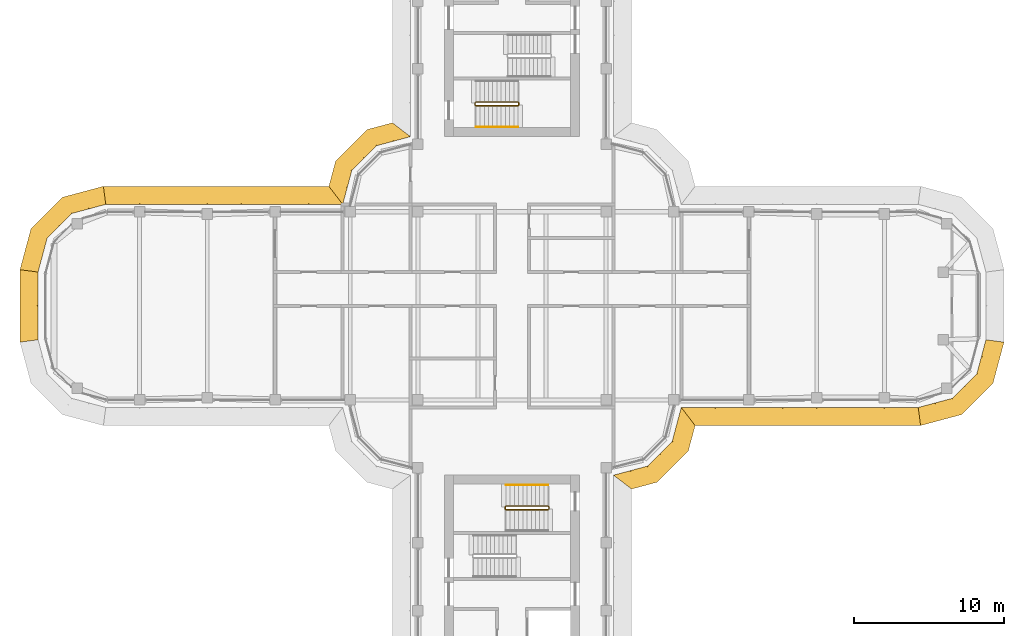
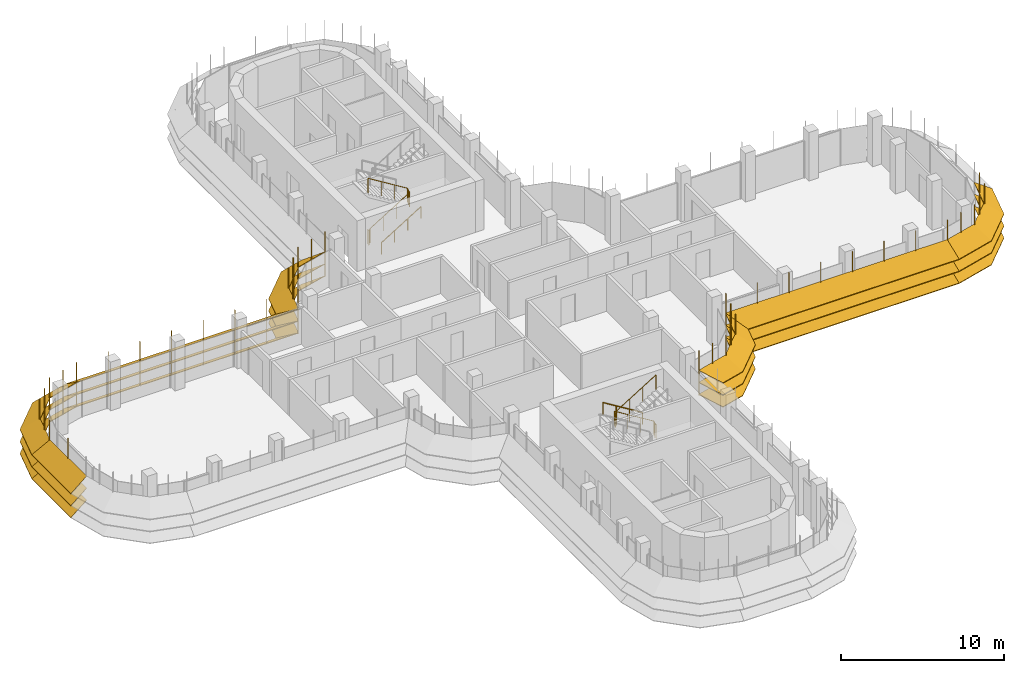
# One storey, part 17 of 18: 7 shading devices, 4 railings.
"""IFC4 building model written with IfcOpenShell, lengths in metres."""

from ifc_helpers import new_model, si_unit, direction, frame, origin, origin_2d, place, context, subcontext, project, spatial, polyline, circle, outline, extrude, faceted_brep, source, transform, mapped, material, type_object, element, save


model = new_model("IFC4")

# Units and contexts
model_context = context("Model", 3, precision=1e-05, world=origin(), true_north=direction((0.0, 1.0)))
body_context = subcontext(model_context, "Body", "Model", "MODEL_VIEW")
ifc_project = project(units=[si_unit("LENGTHUNIT", "METRE"), si_unit("AREAUNIT", "SQUARE_METRE"), si_unit("VOLUMEUNIT", "CUBIC_METRE"), si_unit("PLANEANGLEUNIT", "RADIAN"), si_unit("MASSUNIT", "GRAM", prefix="KILO")], contexts=[model_context])

# Site, building, storey
site_placement = place(None, origin())
site = spatial("IfcSite", under=ifc_project, at=site_placement, CompositionType="ELEMENT")
building_placement = place(site_placement, origin())
building = spatial("IfcBuilding", under=site, at=building_placement, Name="Zarbagh Exchange Tower", CompositionType="ELEMENT")
storey_placement = place(building_placement, frame((0.0, 0.0, 206.800048828125)))
storey = spatial("IfcBuildingStorey", under=building, at=storey_placement, Name="L50", CompositionType="ELEMENT", Elevation=206.800048828125)

# Railings
ifc_material_1 = material(Name="Stainless steel", Category="steel")
railing_type_1 = type_object("IfcRailingType", Name="Stair guard 1100 mm", PredefinedType="GUARDRAIL", material=ifc_material_1)
railing_1_placement = place(storey_placement, frame((-2.449951171875, 13.5, 0.0)))
element("IfcRailing", 1, at=railing_1_placement, inside=storey, type_object=railing_type_1, Name="ST2 stair guard 1", PredefinedType="GUARDRAIL", context=body_context, shape_type="SweptSolid", body=[
    extrude(circle(Radius=0.02392578125, at=origin_2d()), frame((0.0, 0.0, 1.076171875), z_axis=(0.0, -1.0, 0.0), x_axis=(1.0, 0.0, 0.0)), (0.0, 0.0, 1.0), 0.14990234375),
    extrude(circle(Radius=0.02392578125, at=origin_2d()), frame((0.0, -0.14990234375, 1.076171875), z_axis=(0.268277960024, -0.268277960024, 0.925231793839), x_axis=(0.707106781187, 0.707106781187, 0.0)), (0.0, 0.0, 1.0), 0.1865234375),
    extrude(circle(Radius=0.02392578125, at=origin_2d()), frame((0.050048828125, -0.199951171875, 1.24853515625), z_axis=(0.851069175582, 0.0, 0.525053576669), x_axis=(0.0, 1.0, 0.0)), (0.0, 0.0, 1.0), 3.289794921875),
    extrude(circle(Radius=0.02392578125, at=origin_2d()), frame((2.849853515625, -0.199951171875, 2.97607421875), z_axis=(0.707106781187, 0.707106781187, 0.0), x_axis=(-0.707106781187, 0.707106781187, 0.0)), (0.0, 0.0, 1.0), 0.07080078125),
    extrude(circle(Radius=0.02392578125, at=origin_2d()), frame((2.89990234375, -0.14990234375, 2.97607421875), z_axis=(0.0, 1.0, 0.0), x_axis=(-1.0, 0.0, 0.0)), (0.0, 0.0, 1.0), 0.14990234375),
    extrude(circle(Radius=0.02392578125, at=origin_2d()), frame((2.89990234375, 0.0, 2.97607421875), z_axis=(-0.267953482034, 0.267953482034, 0.925419830635), x_axis=(-0.707106781187, -0.707106781187, 0.0)), (0.0, 0.0, 1.0), 0.186767578125),
    extrude(circle(Radius=0.02392578125, at=origin_2d()), frame((2.849853515625, 0.050048828125, 3.14892578125), z_axis=(-0.851069175582, 0.0, 0.525053576669), x_axis=(0.0, -1.0, 0.0)), (0.0, 0.0, 1.0), 3.289794921875),
    extrude(circle(Radius=0.02099609375, at=origin_2d()), origin(), (0.0, 0.0, 1.0), 1.052001953125),
    extrude(circle(Radius=0.02099609375, at=origin_2d()), frame((0.0, -0.14990234375, 0.0)), (0.0, 0.0, 1.0), 1.052001953125),
    extrude(circle(Radius=0.02099609375, at=origin_2d()), frame((0.050048828125, -0.199951171875, 0.172607421875)), (0.0, 0.0, 1.0), 1.052001953125),
    extrude(circle(Radius=0.02099609375, at=origin_2d()), frame((0.9833984375, -0.199951171875, 0.748291015625)), (0.0, 0.0, 1.0), 1.052001953125),
    extrude(circle(Radius=0.02099609375, at=origin_2d()), frame((1.91650390625, -0.199951171875, 1.32421875)), (0.0, 0.0, 1.0), 1.052001953125),
    extrude(circle(Radius=0.02099609375, at=origin_2d()), frame((2.849853515625, -0.199951171875, 1.89990234375)), (0.0, 0.0, 1.0), 1.052001953125),
    extrude(circle(Radius=0.02099609375, at=origin_2d()), frame((2.89990234375, -0.14990234375, 1.89990234375)), (0.0, 0.0, 1.0), 1.052001953125),
    extrude(circle(Radius=0.02099609375, at=origin_2d()), frame((2.89990234375, 0.0, 1.89990234375)), (0.0, 0.0, 1.0), 1.052001953125),
    extrude(circle(Radius=0.02099609375, at=origin_2d()), frame((2.849853515625, 0.050048828125, 2.07275390625)), (0.0, 0.0, 1.0), 1.052001953125),
    extrude(circle(Radius=0.02099609375, at=origin_2d()), frame((1.91650390625, 0.050048828125, 2.6484375)), (0.0, 0.0, 1.0), 1.052001953125),
    extrude(circle(Radius=0.02099609375, at=origin_2d()), frame((0.9833984375, 0.050048828125, 3.224365234375)), (0.0, 0.0, 1.0), 1.052001953125),
    extrude(circle(Radius=0.02099609375, at=origin_2d()), frame((0.050048828125, 0.050048828125, 3.800048828125)), (0.0, 0.0, 1.0), 1.052001953125),
])
railing_2_placement = place(storey_placement, frame((2.449951171875, -13.5, 0.0)))
element("IfcRailing", 2, at=railing_2_placement, inside=storey, type_object=railing_type_1, Name="ST4 stair guard 1", PredefinedType="GUARDRAIL", context=body_context, shape_type="SweptSolid", body=[
    extrude(circle(Radius=0.02392578125, at=origin_2d()), frame((0.0, 0.0, 1.076171875), z_axis=(0.0, 1.0, 0.0), x_axis=(-1.0, 0.0, 0.0)), (0.0, 0.0, 1.0), 0.14990234375),
    extrude(circle(Radius=0.02392578125, at=origin_2d()), frame((0.0, 0.14990234375, 1.076171875), z_axis=(-0.268277960024, 0.268277960024, 0.925231793839), x_axis=(-0.707106781187, -0.707106781187, 0.0)), (0.0, 0.0, 1.0), 0.1865234375),
    extrude(circle(Radius=0.02392578125, at=origin_2d()), frame((-0.050048828125, 0.199951171875, 1.24853515625), z_axis=(-0.851069175582, 0.0, 0.525053576669), x_axis=(0.0, -1.0, 0.0)), (0.0, 0.0, 1.0), 3.289794921875),
    extrude(circle(Radius=0.02392578125, at=origin_2d()), frame((-2.849853515625, 0.199951171875, 2.97607421875), z_axis=(-0.707106781187, -0.707106781187, 0.0), x_axis=(0.707106781187, -0.707106781187, 0.0)), (0.0, 0.0, 1.0), 0.07080078125),
    extrude(circle(Radius=0.02392578125, at=origin_2d()), frame((-2.89990234375, 0.14990234375, 2.97607421875), z_axis=(0.0, -1.0, 0.0), x_axis=(1.0, 0.0, 0.0)), (0.0, 0.0, 1.0), 0.14990234375),
    extrude(circle(Radius=0.02392578125, at=origin_2d()), frame((-2.89990234375, 0.0, 2.97607421875), z_axis=(0.267953482034, -0.267953482034, 0.925419830635), x_axis=(0.707106781187, 0.707106781187, 0.0)), (0.0, 0.0, 1.0), 0.186767578125),
    extrude(circle(Radius=0.02392578125, at=origin_2d()), frame((-2.849853515625, -0.050048828125, 3.14892578125), z_axis=(0.851069175582, 0.0, 0.525053576669), x_axis=(0.0, 1.0, 0.0)), (0.0, 0.0, 1.0), 3.289794921875),
    extrude(circle(Radius=0.02099609375, at=origin_2d()), origin(), (0.0, 0.0, 1.0), 1.052001953125),
    extrude(circle(Radius=0.02099609375, at=origin_2d()), frame((0.0, 0.14990234375, 0.0)), (0.0, 0.0, 1.0), 1.052001953125),
    extrude(circle(Radius=0.02099609375, at=origin_2d()), frame((-0.050048828125, 0.199951171875, 0.172607421875)), (0.0, 0.0, 1.0), 1.052001953125),
    extrude(circle(Radius=0.02099609375, at=origin_2d()), frame((-0.9833984375, 0.199951171875, 0.748291015625)), (0.0, 0.0, 1.0), 1.052001953125),
    extrude(circle(Radius=0.02099609375, at=origin_2d()), frame((-1.91650390625, 0.199951171875, 1.32421875)), (0.0, 0.0, 1.0), 1.052001953125),
    extrude(circle(Radius=0.02099609375, at=origin_2d()), frame((-2.849853515625, 0.199951171875, 1.89990234375)), (0.0, 0.0, 1.0), 1.052001953125),
    extrude(circle(Radius=0.02099609375, at=origin_2d()), frame((-2.89990234375, 0.14990234375, 1.89990234375)), (0.0, 0.0, 1.0), 1.052001953125),
    extrude(circle(Radius=0.02099609375, at=origin_2d()), frame((-2.89990234375, 0.0, 1.89990234375)), (0.0, 0.0, 1.0), 1.052001953125),
    extrude(circle(Radius=0.02099609375, at=origin_2d()), frame((-2.849853515625, -0.050048828125, 2.07275390625)), (0.0, 0.0, 1.0), 1.052001953125),
    extrude(circle(Radius=0.02099609375, at=origin_2d()), frame((-1.91650390625, -0.050048828125, 2.6484375)), (0.0, 0.0, 1.0), 1.052001953125),
    extrude(circle(Radius=0.02099609375, at=origin_2d()), frame((-0.9833984375, -0.050048828125, 3.224365234375)), (0.0, 0.0, 1.0), 1.052001953125),
    extrude(circle(Radius=0.02099609375, at=origin_2d()), frame((-0.050048828125, -0.050048828125, 3.800048828125)), (0.0, 0.0, 1.0), 1.052001953125),
])
railing_type_2 = type_object("IfcRailingType", Name="Stair handrail 900 mm", PredefinedType="HANDRAIL", material=ifc_material_1)
railing_3_placement = place(storey_placement, frame((-2.39990234375, 11.89990234375, 0.172607421875)))
element("IfcRailing", 3, at=railing_3_placement, inside=storey, type_object=railing_type_2, Name="ST2 stair handrail 1", PredefinedType="HANDRAIL", context=body_context, shape_type="SweptSolid", body=[
    extrude(circle(Radius=0.02392578125, at=origin_2d()), frame((0.0, 0.0, 0.8759765625), z_axis=(0.851069175582, 0.0, 0.525053576669), x_axis=(0.0, 1.0, 0.0)), (0.0, 0.0, 1.0), 3.289794921875),
    extrude(circle(Radius=0.02099609375, at=origin_2d()), origin(), (0.0, 0.0, 1.0), 0.851806640625),
    extrude(circle(Radius=0.02099609375, at=origin_2d()), frame((0.933349609375, 0.0, 0.57568359375)), (0.0, 0.0, 1.0), 0.851806640625),
    extrude(circle(Radius=0.02099609375, at=origin_2d()), frame((1.866455078125, 0.0, 1.151611328125)), (0.0, 0.0, 1.0), 0.851806640625),
    extrude(circle(Radius=0.02099609375, at=origin_2d()), frame((2.7998046875, 0.0, 1.727294921875)), (0.0, 0.0, 1.0), 0.851806640625),
])
railing_4_placement = place(storey_placement, frame((2.39990234375, -11.89990234375, 0.172607421875)))
element("IfcRailing", 4, at=railing_4_placement, inside=storey, type_object=railing_type_2, Name="ST4 stair handrail 1", PredefinedType="HANDRAIL", context=body_context, shape_type="SweptSolid", body=[
    extrude(circle(Radius=0.02392578125, at=origin_2d()), frame((0.0, 0.0, 0.8759765625), z_axis=(-0.851069175582, 0.0, 0.525053576669), x_axis=(0.0, -1.0, 0.0)), (0.0, 0.0, 1.0), 3.289794921875),
    extrude(circle(Radius=0.02099609375, at=origin_2d()), origin(), (0.0, 0.0, 1.0), 0.851806640625),
    extrude(circle(Radius=0.02099609375, at=origin_2d()), frame((-0.933349609375, 0.0, 0.57568359375)), (0.0, 0.0, 1.0), 0.851806640625),
    extrude(circle(Radius=0.02099609375, at=origin_2d()), frame((-1.866455078125, 0.0, 1.151611328125)), (0.0, 0.0, 1.0), 0.851806640625),
    extrude(circle(Radius=0.02099609375, at=origin_2d()), frame((-2.7998046875, 0.0, 1.727294921875)), (0.0, 0.0, 1.0), 0.851806640625),
])

# Shading devices
ifc_material_2 = material(Name="Anodised aluminium blades and brackets", Category="aluminium")
shading_device_type = type_object("IfcShadingDeviceType", Name="SUNSHADE louvre band, 33.75 degree blades", PredefinedType="JALOUSIE", material=ifc_material_2)
shared_shape_1 = source(origin(), body_context, "Body", "Brep", [
    faceted_brep([(0.0, 0.0, 0.0), (0.0, 0.0, -0.048095703125), (-0.157958984375, -1.199951171875, -0.849853515625), (-0.157958984375, -1.199951171875, -0.8017578125), (2.65087890625, -1.199951171875, -0.8017578125), (2.65087890625, -1.199951171875, -0.849853515625), (2.329345703125, 0.0, -0.048095703125), (2.329345703125, 0.0, 0.0)], [[[0, 1, 2, 3]], [[4, 5, 6, 7]], [[0, 7, 6, 1]], [[1, 6, 5, 2]], [[2, 5, 4, 3]], [[3, 4, 7, 0]]]),
])
shared_shape_2 = source(origin(), body_context, "Body", "Brep", [
    faceted_brep([(0.0, 0.0, 0.0), (0.0, 0.0, -0.048095703125), (-0.321533203125, -1.199951171875, -0.849853515625), (-0.321533203125, -1.199951171875, -0.8017578125), (2.65087890625, -1.199951171875, -0.8017578125), (2.65087890625, -1.199951171875, -0.849853515625), (2.329345703125, 0.0, -0.048095703125), (2.329345703125, 0.0, 0.0)], [[[0, 1, 2, 3]], [[4, 5, 6, 7]], [[0, 7, 6, 1]], [[1, 6, 5, 2]], [[2, 5, 4, 3]], [[3, 4, 7, 0]]]),
])
shared_shape_3 = source(origin(), body_context, "Body", "Brep", [
    faceted_brep([(0.0, 0.0, 0.0), (0.0, 0.0, -0.048095703125), (-0.321533203125, -1.199951171875, -0.849853515625), (-0.321533203125, -1.199951171875, -0.8017578125), (2.4873046875, -1.199951171875, -0.8017578125), (2.4873046875, -1.199951171875, -0.849853515625), (2.329345703125, 0.0, -0.048095703125), (2.329345703125, 0.0, 0.0)], [[[0, 1, 2, 3]], [[4, 5, 6, 7]], [[0, 7, 6, 1]], [[1, 6, 5, 2]], [[2, 5, 4, 3]], [[3, 4, 7, 0]]]),
])
shared_shape_4 = source(origin(), body_context, "Body", "SweptSolid", [
    extrude(outline(polyline([(0.0, -0.012451171875), (0.06005859375, -0.012451171875), (0.06005859375, 0.012451171875), (0.0, 0.012451171875), (0.0, -0.012451171875)])), origin(), (0.0, 0.0, 1.0), 3.358154296875),
])
placement = place(storey_placement, origin())
element("IfcShadingDevice", 5, at=placement, inside=storey, type_object=shading_device_type, Name="SS31 sunshade band", PredefinedType="JALOUSIE", context=body_context, shape_type="MappedRepresentation", body=[
    mapped(shared_shape_1, transform((27.0, -6.75, 2.300048828125), x_axis=(0.965924289636, 0.258824779902, 0.0), y_axis=(-0.258824779902, 0.965924289636, 0.0), z_axis=(0.0, 0.0, 1.0))),
    mapped(shared_shape_1, transform((27.0, -6.75, 1.39990234375), x_axis=(0.965924289636, 0.258824779902, 0.0), y_axis=(-0.258824779902, 0.965924289636, 0.0), z_axis=(0.0, 0.0, 1.0))),
    mapped(shared_shape_1, transform((27.0, -6.75, 0.5), x_axis=(0.965924289636, 0.258824779902, 0.0), y_axis=(-0.258824779902, 0.965924289636, 0.0), z_axis=(0.0, 0.0, 1.0))),
    mapped(shared_shape_2, transform((29.25, -6.147216796875, 2.300048828125), x_axis=(0.707106781187, 0.707106781187, 0.0), y_axis=(-0.707106781187, 0.707106781187, 0.0), z_axis=(0.0, 0.0, 1.0))),
    mapped(shared_shape_2, transform((29.25, -6.147216796875, 1.39990234375), x_axis=(0.707106781187, 0.707106781187, 0.0), y_axis=(-0.707106781187, 0.707106781187, 0.0), z_axis=(0.0, 0.0, 1.0))),
    mapped(shared_shape_2, transform((29.25, -6.147216796875, 0.5), x_axis=(0.707106781187, 0.707106781187, 0.0), y_axis=(-0.707106781187, 0.707106781187, 0.0), z_axis=(0.0, 0.0, 1.0))),
    mapped(shared_shape_3, transform((30.897216796875, -4.5, 2.300048828125), x_axis=(0.258824779902, 0.965924289636, 0.0), y_axis=(-0.965924289636, 0.258824779902, 0.0), z_axis=(0.0, 0.0, 1.0))),
    mapped(shared_shape_3, transform((30.897216796875, -4.5, 1.39990234375), x_axis=(0.258824779902, 0.965924289636, 0.0), y_axis=(-0.965924289636, 0.258824779902, 0.0), z_axis=(0.0, 0.0, 1.0))),
    mapped(shared_shape_3, transform((30.897216796875, -4.5, 0.5), x_axis=(0.258824779902, 0.965924289636, 0.0), y_axis=(-0.965924289636, 0.258824779902, 0.0), z_axis=(0.0, 0.0, 1.0))),
    mapped(shared_shape_4, transform((27.0, -6.75, 0.421875), x_axis=(0.130529263012, -0.991444457092, 0.0), y_axis=(0.991444457092, 0.130529263012, 0.0), z_axis=(0.0, 0.0, 1.0))),
    mapped(shared_shape_4, transform((28.125, -6.448486328125, 0.421875), x_axis=(0.258825058029, -0.96592421511, 0.0), y_axis=(0.96592421511, 0.258825058029, 0.0), z_axis=(0.0, 0.0, 1.0))),
    mapped(shared_shape_4, transform((29.25, -6.147216796875, 0.421875), x_axis=(0.50000275701, -0.866023812018, 0.0), y_axis=(0.866023812018, 0.50000275701, 0.0), z_axis=(0.0, 0.0, 1.0))),
    mapped(shared_shape_4, transform((30.073486328125, -5.323486328125, 0.421875), x_axis=(0.707106781187, -0.707106781187, 0.0), y_axis=(0.707106781187, 0.707106781187, 0.0), z_axis=(0.0, 0.0, 1.0))),
    mapped(shared_shape_4, transform((30.897216796875, -4.5, 0.421875), x_axis=(0.866023812018, -0.50000275701, 0.0), y_axis=(0.50000275701, 0.866023812018, 0.0), z_axis=(0.0, 0.0, 1.0))),
    mapped(shared_shape_4, transform((31.198486328125, -3.375, 0.421875), x_axis=(0.96592421511, -0.258825058029, 0.0), y_axis=(0.258825058029, 0.96592421511, 0.0), z_axis=(0.0, 0.0, 1.0))),
])
element("IfcShadingDevice", 6, at=placement, inside=storey, type_object=shading_device_type, Name="SS41 sunshade band", PredefinedType="JALOUSIE", context=body_context, shape_type="MappedRepresentation", body=[
    mapped(shared_shape_1, transform((-27.0, 6.75, 2.300048828125), x_axis=(-0.965924289636, -0.258824779902, 0.0), y_axis=(0.258824779902, -0.965924289636, 0.0), z_axis=(0.0, 0.0, 1.0))),
    mapped(shared_shape_1, transform((-27.0, 6.75, 1.39990234375), x_axis=(-0.965924289636, -0.258824779902, 0.0), y_axis=(0.258824779902, -0.965924289636, 0.0), z_axis=(0.0, 0.0, 1.0))),
    mapped(shared_shape_1, transform((-27.0, 6.75, 0.5), x_axis=(-0.965924289636, -0.258824779902, 0.0), y_axis=(0.258824779902, -0.965924289636, 0.0), z_axis=(0.0, 0.0, 1.0))),
    mapped(shared_shape_2, transform((-29.25, 6.147216796875, 2.300048828125), x_axis=(-0.707106781187, -0.707106781187, 0.0), y_axis=(0.707106781187, -0.707106781187, 0.0), z_axis=(0.0, 0.0, 1.0))),
    mapped(shared_shape_2, transform((-29.25, 6.147216796875, 1.39990234375), x_axis=(-0.707106781187, -0.707106781187, 0.0), y_axis=(0.707106781187, -0.707106781187, 0.0), z_axis=(0.0, 0.0, 1.0))),
    mapped(shared_shape_2, transform((-29.25, 6.147216796875, 0.5), x_axis=(-0.707106781187, -0.707106781187, 0.0), y_axis=(0.707106781187, -0.707106781187, 0.0), z_axis=(0.0, 0.0, 1.0))),
    mapped(shared_shape_3, transform((-30.897216796875, 4.5, 2.300048828125), x_axis=(-0.258824779902, -0.965924289636, 0.0), y_axis=(0.965924289636, -0.258824779902, 0.0), z_axis=(0.0, 0.0, 1.0))),
    mapped(shared_shape_3, transform((-30.897216796875, 4.5, 1.39990234375), x_axis=(-0.258824779902, -0.965924289636, 0.0), y_axis=(0.965924289636, -0.258824779902, 0.0), z_axis=(0.0, 0.0, 1.0))),
    mapped(shared_shape_3, transform((-30.897216796875, 4.5, 0.5), x_axis=(-0.258824779902, -0.965924289636, 0.0), y_axis=(0.965924289636, -0.258824779902, 0.0), z_axis=(0.0, 0.0, 1.0))),
    mapped(shared_shape_4, transform((-27.0, 6.75, 0.421875), x_axis=(-0.130529263012, 0.991444457092, 0.0), y_axis=(-0.991444457092, -0.130529263012, 0.0), z_axis=(0.0, 0.0, 1.0))),
    mapped(shared_shape_4, transform((-28.125, 6.448486328125, 0.421875), x_axis=(-0.258825058029, 0.96592421511, 0.0), y_axis=(-0.96592421511, -0.258825058029, 0.0), z_axis=(0.0, 0.0, 1.0))),
    mapped(shared_shape_4, transform((-29.25, 6.147216796875, 0.421875), x_axis=(-0.50000275701, 0.866023812018, 0.0), y_axis=(-0.866023812018, -0.50000275701, 0.0), z_axis=(0.0, 0.0, 1.0))),
    mapped(shared_shape_4, transform((-30.073486328125, 5.323486328125, 0.421875), x_axis=(-0.707106781187, 0.707106781187, 0.0), y_axis=(-0.707106781187, -0.707106781187, 0.0), z_axis=(0.0, 0.0, 1.0))),
    mapped(shared_shape_4, transform((-30.897216796875, 4.5, 0.421875), x_axis=(-0.866023812018, 0.50000275701, 0.0), y_axis=(-0.50000275701, -0.866023812018, 0.0), z_axis=(0.0, 0.0, 1.0))),
    mapped(shared_shape_4, transform((-31.198486328125, 3.375, 0.421875), x_axis=(-0.96592421511, 0.258825058029, 0.0), y_axis=(-0.258825058029, -0.96592421511, 0.0), z_axis=(0.0, 0.0, 1.0))),
])
shared_shape_5 = source(origin(), body_context, "Body", "Brep", [
    faceted_brep([(0.0, 0.0, 0.0), (0.0, 0.0, -0.048095703125), (0.9208984375, -1.199951171875, -0.849853515625), (0.9208984375, -1.199951171875, -0.8017578125), (2.65087890625, -1.199951171875, -0.8017578125), (2.65087890625, -1.199951171875, -0.849853515625), (2.329345703125, 0.0, -0.048095703125), (2.329345703125, 0.0, 0.0)], [[[0, 1, 2, 3]], [[4, 5, 6, 7]], [[0, 7, 6, 1]], [[1, 6, 5, 2]], [[2, 5, 4, 3]], [[3, 4, 7, 0]]]),
])
shared_shape_6 = source(origin(), body_context, "Body", "Brep", [
    faceted_brep([(0.0, 0.0, 0.0), (0.0, 0.0, -0.048095703125), (-0.321533203125, -1.199951171875, -0.849853515625), (-0.321533203125, -1.199951171875, -0.8017578125), (1.40869140625, -1.199951171875, -0.8017578125), (1.40869140625, -1.199951171875, -0.849853515625), (2.329345703125, 0.0, -0.048095703125), (2.329345703125, 0.0, 0.0)], [[[0, 1, 2, 3]], [[4, 5, 6, 7]], [[0, 7, 6, 1]], [[1, 6, 5, 2]], [[2, 5, 4, 3]], [[3, 4, 7, 0]]]),
])
element("IfcShadingDevice", 7, at=placement, inside=storey, type_object=shading_device_type, Name="SS03 sunshade band", PredefinedType="JALOUSIE", context=body_context, shape_type="MappedRepresentation", body=[
    mapped(shared_shape_5, transform((6.75, -11.25, 2.300048828125), x_axis=(0.965924289636, 0.258824779902, 0.0), y_axis=(-0.258824779902, 0.965924289636, 0.0), z_axis=(0.0, 0.0, 1.0))),
    mapped(shared_shape_5, transform((6.75, -11.25, 1.39990234375), x_axis=(0.965924289636, 0.258824779902, 0.0), y_axis=(-0.258824779902, 0.965924289636, 0.0), z_axis=(0.0, 0.0, 1.0))),
    mapped(shared_shape_5, transform((6.75, -11.25, 0.5), x_axis=(0.965924289636, 0.258824779902, 0.0), y_axis=(-0.258824779902, 0.965924289636, 0.0), z_axis=(0.0, 0.0, 1.0))),
    mapped(shared_shape_2, transform((9.0, -10.647216796875, 2.300048828125), x_axis=(0.707106781187, 0.707106781187, 0.0), y_axis=(-0.707106781187, 0.707106781187, 0.0), z_axis=(0.0, 0.0, 1.0))),
    mapped(shared_shape_2, transform((9.0, -10.647216796875, 1.39990234375), x_axis=(0.707106781187, 0.707106781187, 0.0), y_axis=(-0.707106781187, 0.707106781187, 0.0), z_axis=(0.0, 0.0, 1.0))),
    mapped(shared_shape_2, transform((9.0, -10.647216796875, 0.5), x_axis=(0.707106781187, 0.707106781187, 0.0), y_axis=(-0.707106781187, 0.707106781187, 0.0), z_axis=(0.0, 0.0, 1.0))),
    mapped(shared_shape_6, transform((10.647216796875, -9.0, 2.300048828125), x_axis=(0.258824779902, 0.965924289636, 0.0), y_axis=(-0.965924289636, 0.258824779902, 0.0), z_axis=(0.0, 0.0, 1.0))),
    mapped(shared_shape_6, transform((10.647216796875, -9.0, 1.39990234375), x_axis=(0.258824779902, 0.965924289636, 0.0), y_axis=(-0.965924289636, 0.258824779902, 0.0), z_axis=(0.0, 0.0, 1.0))),
    mapped(shared_shape_6, transform((10.647216796875, -9.0, 0.5), x_axis=(0.258824779902, 0.965924289636, 0.0), y_axis=(-0.965924289636, 0.258824779902, 0.0), z_axis=(0.0, 0.0, 1.0))),
    mapped(shared_shape_4, transform((6.75, -11.25, 0.421875), x_axis=(0.793355287, -0.608758892, 0.0), y_axis=(0.608758892, 0.793355287, 0.0), z_axis=(0.0, 0.0, 1.0))),
    mapped(shared_shape_4, transform((7.875, -10.948486328125, 0.421875), x_axis=(0.258825058029, -0.96592421511, 0.0), y_axis=(0.96592421511, 0.258825058029, 0.0), z_axis=(0.0, 0.0, 1.0))),
    mapped(shared_shape_4, transform((9.0, -10.647216796875, 0.421875), x_axis=(0.50000275701, -0.866023812018, 0.0), y_axis=(0.866023812018, 0.50000275701, 0.0), z_axis=(0.0, 0.0, 1.0))),
    mapped(shared_shape_4, transform((9.823486328125, -9.823486328125, 0.421875), x_axis=(0.707106781187, -0.707106781187, 0.0), y_axis=(0.707106781187, 0.707106781187, 0.0), z_axis=(0.0, 0.0, 1.0))),
    mapped(shared_shape_4, transform((10.647216796875, -9.0, 0.421875), x_axis=(0.866023812018, -0.50000275701, 0.0), y_axis=(0.50000275701, 0.866023812018, 0.0), z_axis=(0.0, 0.0, 1.0))),
    mapped(shared_shape_4, transform((10.948486328125, -7.875, 0.421875), x_axis=(0.96592421511, -0.258825058029, 0.0), y_axis=(0.258825058029, 0.96592421511, 0.0), z_axis=(0.0, 0.0, 1.0))),
])
element("IfcShadingDevice", 8, at=placement, inside=storey, type_object=shading_device_type, Name="SS15 sunshade band", PredefinedType="JALOUSIE", context=body_context, shape_type="MappedRepresentation", body=[
    mapped(shared_shape_5, transform((-6.75, 11.25, 2.300048828125), x_axis=(-0.965924289636, -0.258824779902, 0.0), y_axis=(0.258824779902, -0.965924289636, 0.0), z_axis=(0.0, 0.0, 1.0))),
    mapped(shared_shape_5, transform((-6.75, 11.25, 1.39990234375), x_axis=(-0.965924289636, -0.258824779902, 0.0), y_axis=(0.258824779902, -0.965924289636, 0.0), z_axis=(0.0, 0.0, 1.0))),
    mapped(shared_shape_5, transform((-6.75, 11.25, 0.5), x_axis=(-0.965924289636, -0.258824779902, 0.0), y_axis=(0.258824779902, -0.965924289636, 0.0), z_axis=(0.0, 0.0, 1.0))),
    mapped(shared_shape_2, transform((-9.0, 10.647216796875, 2.300048828125), x_axis=(-0.707106781187, -0.707106781187, 0.0), y_axis=(0.707106781187, -0.707106781187, 0.0), z_axis=(0.0, 0.0, 1.0))),
    mapped(shared_shape_2, transform((-9.0, 10.647216796875, 1.39990234375), x_axis=(-0.707106781187, -0.707106781187, 0.0), y_axis=(0.707106781187, -0.707106781187, 0.0), z_axis=(0.0, 0.0, 1.0))),
    mapped(shared_shape_2, transform((-9.0, 10.647216796875, 0.5), x_axis=(-0.707106781187, -0.707106781187, 0.0), y_axis=(0.707106781187, -0.707106781187, 0.0), z_axis=(0.0, 0.0, 1.0))),
    mapped(shared_shape_6, transform((-10.647216796875, 9.0, 2.300048828125), x_axis=(-0.258824779902, -0.965924289636, 0.0), y_axis=(0.965924289636, -0.258824779902, 0.0), z_axis=(0.0, 0.0, 1.0))),
    mapped(shared_shape_6, transform((-10.647216796875, 9.0, 1.39990234375), x_axis=(-0.258824779902, -0.965924289636, 0.0), y_axis=(0.965924289636, -0.258824779902, 0.0), z_axis=(0.0, 0.0, 1.0))),
    mapped(shared_shape_6, transform((-10.647216796875, 9.0, 0.5), x_axis=(-0.258824779902, -0.965924289636, 0.0), y_axis=(0.965924289636, -0.258824779902, 0.0), z_axis=(0.0, 0.0, 1.0))),
    mapped(shared_shape_4, transform((-6.75, 11.25, 0.421875), x_axis=(-0.793355287, 0.608758892, 0.0), y_axis=(-0.608758892, -0.793355287, 0.0), z_axis=(0.0, 0.0, 1.0))),
    mapped(shared_shape_4, transform((-7.875, 10.948486328125, 0.421875), x_axis=(-0.258825058029, 0.96592421511, 0.0), y_axis=(-0.96592421511, -0.258825058029, 0.0), z_axis=(0.0, 0.0, 1.0))),
    mapped(shared_shape_4, transform((-9.0, 10.647216796875, 0.421875), x_axis=(-0.50000275701, 0.866023812018, 0.0), y_axis=(-0.866023812018, -0.50000275701, 0.0), z_axis=(0.0, 0.0, 1.0))),
    mapped(shared_shape_4, transform((-9.823486328125, 9.823486328125, 0.421875), x_axis=(-0.707106781187, 0.707106781187, 0.0), y_axis=(-0.707106781187, -0.707106781187, 0.0), z_axis=(0.0, 0.0, 1.0))),
    mapped(shared_shape_4, transform((-10.647216796875, 9.0, 0.421875), x_axis=(-0.866023812018, 0.50000275701, 0.0), y_axis=(-0.50000275701, -0.866023812018, 0.0), z_axis=(0.0, 0.0, 1.0))),
    mapped(shared_shape_4, transform((-10.948486328125, 7.875, 0.421875), x_axis=(-0.96592421511, 0.258825058029, 0.0), y_axis=(-0.258825058029, -0.96592421511, 0.0), z_axis=(0.0, 0.0, 1.0))),
])
shared_shape_7 = source(origin(), body_context, "Body", "Brep", [
    faceted_brep([(0.0, 0.0, 0.0), (0.0, 0.0, -0.048095703125), (0.9208984375, -1.199951171875, -0.849853515625), (0.9208984375, -1.199951171875, -0.8017578125), (15.907958984375, -1.199951171875, -0.8017578125), (15.907958984375, -1.199951171875, -0.849853515625), (15.75, 0.0, -0.048095703125), (15.75, 0.0, 0.0)], [[[0, 1, 2, 3]], [[4, 5, 6, 7]], [[0, 7, 6, 1]], [[1, 6, 5, 2]], [[2, 5, 4, 3]], [[3, 4, 7, 0]]]),
])
element("IfcShadingDevice", 9, at=placement, inside=storey, type_object=shading_device_type, Name="SS30 sunshade band", PredefinedType="JALOUSIE", context=body_context, shape_type="MappedRepresentation", body=[
    mapped(shared_shape_7, transform((11.25, -6.75, 2.300048828125), x_axis=(1.0, 0.0, 0.0), y_axis=(0.0, 1.0, 0.0), z_axis=(0.0, 0.0, 1.0))),
    mapped(shared_shape_7, transform((11.25, -6.75, 1.39990234375), x_axis=(1.0, 0.0, 0.0), y_axis=(0.0, 1.0, 0.0), z_axis=(0.0, 0.0, 1.0))),
    mapped(shared_shape_7, transform((11.25, -6.75, 0.5), x_axis=(1.0, 0.0, 0.0), y_axis=(0.0, 1.0, 0.0), z_axis=(0.0, 0.0, 1.0))),
    mapped(shared_shape_4, transform((11.25, -6.75, 0.421875), x_axis=(0.608758892, -0.793355287, 0.0), y_axis=(0.793355287, 0.608758892, 0.0), z_axis=(0.0, 0.0, 1.0))),
    mapped(shared_shape_4, transform((13.5, -6.75, 0.421875), x_axis=(0.0, -1.0, 0.0), y_axis=(1.0, 0.0, 0.0), z_axis=(0.0, 0.0, 1.0))),
    mapped(shared_shape_4, transform((15.75, -6.75, 0.421875), x_axis=(0.0, -1.0, 0.0), y_axis=(1.0, 0.0, 0.0), z_axis=(0.0, 0.0, 1.0))),
    mapped(shared_shape_4, transform((18.0, -6.75, 0.421875), x_axis=(0.0, -1.0, 0.0), y_axis=(1.0, 0.0, 0.0), z_axis=(0.0, 0.0, 1.0))),
    mapped(shared_shape_4, transform((20.25, -6.75, 0.421875), x_axis=(0.0, -1.0, 0.0), y_axis=(1.0, 0.0, 0.0), z_axis=(0.0, 0.0, 1.0))),
    mapped(shared_shape_4, transform((22.5, -6.75, 0.421875), x_axis=(0.0, -1.0, 0.0), y_axis=(1.0, 0.0, 0.0), z_axis=(0.0, 0.0, 1.0))),
    mapped(shared_shape_4, transform((24.75, -6.75, 0.421875), x_axis=(0.0, -1.0, 0.0), y_axis=(1.0, 0.0, 0.0), z_axis=(0.0, 0.0, 1.0))),
])
element("IfcShadingDevice", 10, at=placement, inside=storey, type_object=shading_device_type, Name="SS40 sunshade band", PredefinedType="JALOUSIE", context=body_context, shape_type="MappedRepresentation", body=[
    mapped(shared_shape_7, transform((-11.25, 6.75, 2.300048828125), x_axis=(-1.0, 0.0, 0.0), y_axis=(0.0, -1.0, 0.0), z_axis=(0.0, 0.0, 1.0))),
    mapped(shared_shape_7, transform((-11.25, 6.75, 1.39990234375), x_axis=(-1.0, 0.0, 0.0), y_axis=(0.0, -1.0, 0.0), z_axis=(0.0, 0.0, 1.0))),
    mapped(shared_shape_7, transform((-11.25, 6.75, 0.5), x_axis=(-1.0, 0.0, 0.0), y_axis=(0.0, -1.0, 0.0), z_axis=(0.0, 0.0, 1.0))),
    mapped(shared_shape_4, transform((-11.25, 6.75, 0.421875), x_axis=(-0.608758892, 0.793355287, 0.0), y_axis=(-0.793355287, -0.608758892, 0.0), z_axis=(0.0, 0.0, 1.0))),
    mapped(shared_shape_4, transform((-13.5, 6.75, 0.421875), x_axis=(0.0, 1.0, 0.0), y_axis=(-1.0, 0.0, 0.0), z_axis=(0.0, 0.0, 1.0))),
    mapped(shared_shape_4, transform((-15.75, 6.75, 0.421875), x_axis=(0.0, 1.0, 0.0), y_axis=(-1.0, 0.0, 0.0), z_axis=(0.0, 0.0, 1.0))),
    mapped(shared_shape_4, transform((-18.0, 6.75, 0.421875), x_axis=(0.0, 1.0, 0.0), y_axis=(-1.0, 0.0, 0.0), z_axis=(0.0, 0.0, 1.0))),
    mapped(shared_shape_4, transform((-20.25, 6.75, 0.421875), x_axis=(0.0, 1.0, 0.0), y_axis=(-1.0, 0.0, 0.0), z_axis=(0.0, 0.0, 1.0))),
    mapped(shared_shape_4, transform((-22.5, 6.75, 0.421875), x_axis=(0.0, 1.0, 0.0), y_axis=(-1.0, 0.0, 0.0), z_axis=(0.0, 0.0, 1.0))),
    mapped(shared_shape_4, transform((-24.75, 6.75, 0.421875), x_axis=(0.0, 1.0, 0.0), y_axis=(-1.0, 0.0, 0.0), z_axis=(0.0, 0.0, 1.0))),
])
shared_shape_8 = source(origin(), body_context, "Body", "Brep", [
    faceted_brep([(0.0, 0.0, 0.0), (0.0, 0.0, -0.048095703125), (-0.157958984375, -1.199951171875, -0.849853515625), (-0.157958984375, -1.199951171875, -0.8017578125), (4.657958984375, -1.199951171875, -0.8017578125), (4.657958984375, -1.199951171875, -0.849853515625), (4.5, 0.0, -0.048095703125), (4.5, 0.0, 0.0)], [[[0, 1, 2, 3]], [[4, 5, 6, 7]], [[0, 7, 6, 1]], [[1, 6, 5, 2]], [[2, 5, 4, 3]], [[3, 4, 7, 0]]]),
])
element("IfcShadingDevice", 11, at=placement, inside=storey, type_object=shading_device_type, Name="SS42 sunshade band", PredefinedType="JALOUSIE", context=body_context, shape_type="MappedRepresentation", body=[
    mapped(shared_shape_8, transform((-31.5, 2.25, 2.300048828125), x_axis=(0.0, -1.0, 0.0), y_axis=(1.0, 0.0, 0.0), z_axis=(0.0, 0.0, 1.0))),
    mapped(shared_shape_8, transform((-31.5, 2.25, 1.39990234375), x_axis=(0.0, -1.0, 0.0), y_axis=(1.0, 0.0, 0.0), z_axis=(0.0, 0.0, 1.0))),
    mapped(shared_shape_8, transform((-31.5, 2.25, 0.5), x_axis=(0.0, -1.0, 0.0), y_axis=(1.0, 0.0, 0.0), z_axis=(0.0, 0.0, 1.0))),
    mapped(shared_shape_4, transform((-31.5, 2.25, 0.421875), x_axis=(-0.991444457092, 0.130529263012, 0.0), y_axis=(-0.130529263012, -0.991444457092, 0.0), z_axis=(0.0, 0.0, 1.0))),
    mapped(shared_shape_4, transform((-31.5, 0.0, 0.421875), x_axis=(-1.0, 0.0, 0.0), y_axis=(0.0, -1.0, 0.0), z_axis=(0.0, 0.0, 1.0))),
])

save(model, "model.ifc")
